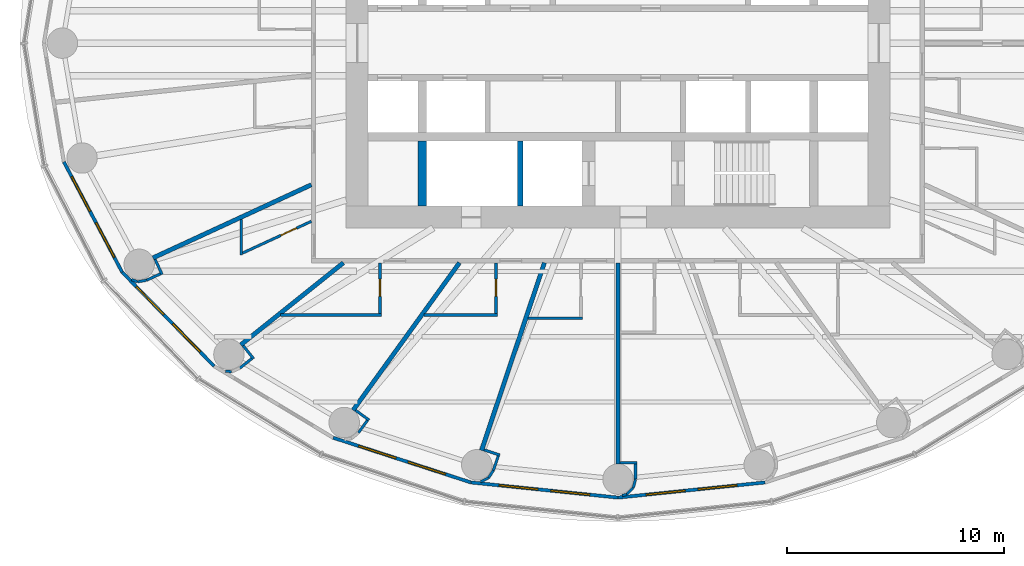
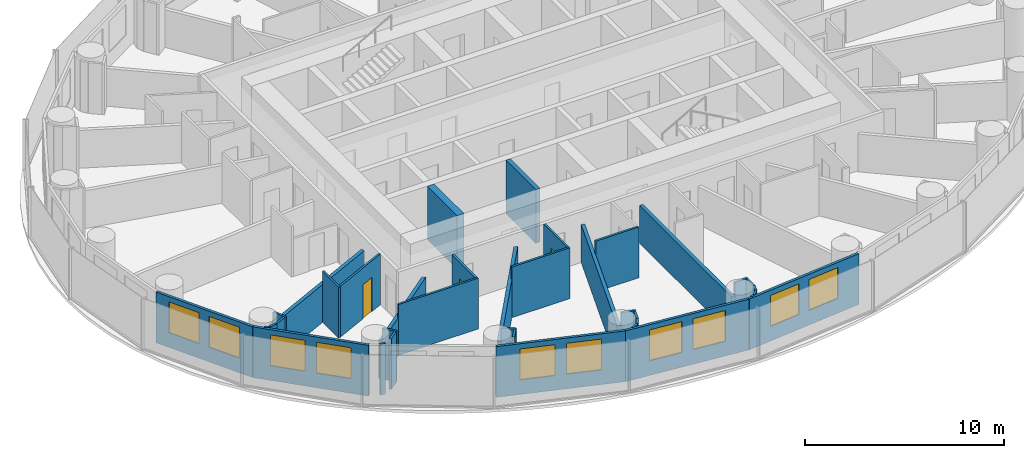
# One storey, part 6 of 14: 37 walls, 10 windows, 3 doors, 13 openings.
"""IFC4 building model written with IfcOpenShell, lengths in metres."""

from ifc_helpers import new_model, si_unit, direction, frame, frame_2d, origin, place, context, subcontext, project, spatial, rectangle, extrude, material, layer, layer_set, type_object, element, fill, save


model = new_model("IFC4")

# Units and contexts
model_context = context("Model", 3, precision=1e-05, world=origin(), true_north=direction((0.0, 1.0)))
body_context = subcontext(model_context, "Body", "Model", "MODEL_VIEW")
ifc_project = project(units=[si_unit("LENGTHUNIT", "METRE"), si_unit("AREAUNIT", "SQUARE_METRE"), si_unit("VOLUMEUNIT", "CUBIC_METRE"), si_unit("PLANEANGLEUNIT", "RADIAN"), si_unit("MASSUNIT", "GRAM", prefix="KILO")], contexts=[model_context])

# Site, building, storey
site_placement = place(None, origin())
site = spatial("IfcSite", under=ifc_project, at=site_placement, CompositionType="ELEMENT")
building_placement = place(site_placement, origin())
building = spatial("IfcBuilding", under=site, at=building_placement, Name="Hankou Lantern Tower", CompositionType="ELEMENT")
storey_placement = place(building_placement, frame((0.0, 0.0, 60.60009765625)))
storey = spatial("IfcBuildingStorey", under=building, at=storey_placement, Name="L14", CompositionType="ELEMENT", Elevation=60.60009765625)

# Wall
ifc_material_1 = material(Name="Concrete C60", Category="concrete")
ifc_layer_1 = layer(ifc_material_1, 0.39990234375)
ifc_layer_set_1 = layer_set([ifc_layer_1], Name="Concrete C60")
wall_type_1 = type_object("IfcWallType", Name="CW4 CORE CROSS WALL 400", PredefinedType="SHEAR", material=ifc_layer_set_1)
wall_1_placement = place(storey_placement, frame((-9.0, -7.5, 0.0), z_axis=(0.0, 0.0, 1.0), x_axis=(0.0, 1.0, 0.0)))
element("IfcWall", 1, at=wall_1_placement, inside=storey, type_object=wall_type_1, Name="Core strip wall L14", PredefinedType="SHEAR", context=body_context, shape_type="SweptSolid", body=[
    extrude(rectangle(XDim=3.0, YDim=0.39990234375, at=frame_2d((1.5, 0.0))), origin(), (0.0, 0.0, 1.0), 3.2998046875),
])

# Wall, openings, windows
ifc_material_2 = material(Name="Aluminium spandrel panel on steel studs", Category="steel")
ifc_layer_2 = layer(ifc_material_2, 0.14990234375)
ifc_layer_set_2 = layer_set([ifc_layer_2], Name="Aluminium spandrel panel on steel studs")
wall_type_2 = type_object("IfcWallType", Name="EW1 INNER SKIN WALL 150", PredefinedType="ELEMENTEDWALL", material=ifc_layer_set_2)
wall_2_placement = place(storey_placement, frame((-25.482421875, -5.46240234375, 0.0), z_axis=(0.0, 0.0, 1.0), x_axis=(0.467296867008, -0.884100468321, 0.0)))
wall_2 = element("IfcWall", 2, at=wall_2_placement, inside=storey, type_object=wall_type_2, Name="Inner skin R14-R15 L14", PredefinedType="ELEMENTEDWALL", context=body_context, shape_type="SweptSolid", body=[
    extrude(rectangle(XDim=5.734375, YDim=0.14990234375, at=frame_2d((2.8671875, 0.0))), origin(), (0.0, 0.0, 1.0), 3.119873046875),
])
opening_1_placement = place(wall_2_placement, frame((0.76708984375, 0.0, 0.89990234375)))
opening_1 = element("IfcOpeningElement", 3, at=opening_1_placement, cuts=wall_2, Name="Opening W1", PredefinedType="OPENING", context=body_context, shape_type="SweptSolid", body=[
    extrude(rectangle(XDim=1.800048828125, YDim=1.89990234375, at=frame_2d((0.89990234375, 0.949951171875))), frame((0.0, 0.0849609375, 0.0), z_axis=(0.0, -1.0, 0.0), x_axis=(1.0, 0.0, 0.0)), (0.0, 0.0, 1.0), 0.169921875),
])
opening_2_placement = place(wall_2_placement, frame((3.167236328125, 0.0, 0.89990234375)))
opening_2 = element("IfcOpeningElement", 4, at=opening_2_placement, cuts=wall_2, Name="Opening W1", PredefinedType="OPENING", context=body_context, shape_type="SweptSolid", body=[
    extrude(rectangle(XDim=1.800048828125, YDim=1.89990234375, at=frame_2d((0.89990234375, 0.949951171875))), frame((0.0, 0.0849609375, 0.0), z_axis=(0.0, -1.0, 0.0), x_axis=(1.0, 0.0, 0.0)), (0.0, 0.0, 1.0), 0.169921875),
])
ifc_material_3 = material(Name="Aluminium framed double glazed window", Category="aluminium")
window_type = type_object("IfcWindowType", Name="W1 GUEST ROOM WINDOW 1800X1900", PartitioningType="DOUBLE_PANEL_VERTICAL", PredefinedType="WINDOW", material=ifc_material_3)
window_1_placement = place(opening_1_placement, origin())
window_1 = element("IfcWindow", 5, at=window_1_placement, inside=storey, type_object=window_type, Name="Window R14.1 L14", OverallHeight=1.89990234375, OverallWidth=1.800048828125, PartitioningType="SINGLE_PANEL", PredefinedType="WINDOW", context=body_context, shape_type="SweptSolid", body=[
    extrude(rectangle(XDim=1.800048828125, YDim=1.89990234375, at=frame_2d((0.89990234375, 0.949951171875))), frame((0.0, 0.030029296875, 0.0), z_axis=(0.0, -1.0, 0.0), x_axis=(1.0, 0.0, 0.0)), (0.0, 0.0, 1.0), 0.06005859375),
])
fill(opening_1, window_1)
window_2_placement = place(opening_2_placement, origin())
window_2 = element("IfcWindow", 6, at=window_2_placement, inside=storey, type_object=window_type, Name="Window R14.2 L14", OverallHeight=1.89990234375, OverallWidth=1.800048828125, PartitioningType="SINGLE_PANEL", PredefinedType="WINDOW", context=body_context, shape_type="SweptSolid", body=[
    extrude(rectangle(XDim=1.800048828125, YDim=1.89990234375, at=frame_2d((0.89990234375, 0.949951171875))), frame((0.0, 0.030029296875, 0.0), z_axis=(0.0, -1.0, 0.0), x_axis=(1.0, 0.0, 0.0)), (0.0, 0.0, 1.0), 0.06005859375),
])
fill(opening_2, window_2)

wall_3_placement = place(storey_placement, frame((-22.802734375, -10.5322265625, 0.0), z_axis=(0.0, 0.0, 1.0), x_axis=(0.699602905915, -0.714531856557, 0.0)))
wall_3 = element("IfcWall", 7, at=wall_3_placement, inside=storey, type_object=wall_type_2, Name="Inner skin R15-R16 L14", PredefinedType="ELEMENTEDWALL", context=body_context, shape_type="SweptSolid", body=[
    extrude(rectangle(XDim=6.05078125, YDim=0.14990234375, at=frame_2d((3.025390625, 0.0))), origin(), (0.0, 0.0, 1.0), 3.119873046875),
])
opening_3_placement = place(wall_3_placement, frame((0.925537109375, 0.0, 0.89990234375)))
opening_3 = element("IfcOpeningElement", 8, at=opening_3_placement, cuts=wall_3, Name="Opening W1", PredefinedType="OPENING", context=body_context, shape_type="SweptSolid", body=[
    extrude(rectangle(XDim=1.800048828125, YDim=1.89990234375, at=frame_2d((0.89990234375, 0.949951171875))), frame((0.0, 0.0849609375, 0.0), z_axis=(0.0, -1.0, 0.0), x_axis=(1.0, 0.0, 0.0)), (0.0, 0.0, 1.0), 0.169921875),
])
opening_4_placement = place(wall_3_placement, frame((3.325439453125, 0.0, 0.89990234375)))
opening_4 = element("IfcOpeningElement", 9, at=opening_4_placement, cuts=wall_3, Name="Opening W1", PredefinedType="OPENING", context=body_context, shape_type="SweptSolid", body=[
    extrude(rectangle(XDim=1.800048828125, YDim=1.89990234375, at=frame_2d((0.89990234375, 0.949951171875))), frame((0.0, 0.0849609375, 0.0), z_axis=(0.0, -1.0, 0.0), x_axis=(1.0, 0.0, 0.0)), (0.0, 0.0, 1.0), 0.169921875),
])
window_3_placement = place(opening_3_placement, origin())
window_3 = element("IfcWindow", 10, at=window_3_placement, inside=storey, type_object=window_type, Name="Window R15.1 L14", OverallHeight=1.89990234375, OverallWidth=1.800048828125, PartitioningType="SINGLE_PANEL", PredefinedType="WINDOW", context=body_context, shape_type="SweptSolid", body=[
    extrude(rectangle(XDim=1.800048828125, YDim=1.89990234375, at=frame_2d((0.89990234375, 0.949951171875))), frame((0.0, 0.030029296875, 0.0), z_axis=(0.0, -1.0, 0.0), x_axis=(1.0, 0.0, 0.0)), (0.0, 0.0, 1.0), 0.06005859375),
])
fill(opening_3, window_3)
window_4_placement = place(opening_4_placement, origin())
window_4 = element("IfcWindow", 11, at=window_4_placement, inside=storey, type_object=window_type, Name="Window R15.2 L14", OverallHeight=1.89990234375, OverallWidth=1.800048828125, PartitioningType="SINGLE_PANEL", PredefinedType="WINDOW", context=body_context, shape_type="SweptSolid", body=[
    extrude(rectangle(XDim=1.800048828125, YDim=1.89990234375, at=frame_2d((0.89990234375, 0.949951171875))), frame((0.0, 0.030029296875, 0.0), z_axis=(0.0, -1.0, 0.0), x_axis=(1.0, 0.0, 0.0)), (0.0, 0.0, 1.0), 0.06005859375),
])
fill(opening_4, window_4)

wall_4_placement = place(storey_placement, frame((-13.096435546875, -18.14697265625, 0.0), z_axis=(0.0, 0.0, 1.0), x_axis=(0.951137534625, -0.308767534285, 0.0)))
wall_4 = element("IfcWall", 12, at=wall_4_placement, inside=storey, type_object=wall_type_2, Name="Inner skin R17-R18 L14", PredefinedType="ELEMENTEDWALL", context=body_context, shape_type="SweptSolid", body=[
    extrude(rectangle(XDim=6.6552734375, YDim=0.14990234375, at=frame_2d((3.32763671875, 0.0))), origin(), (0.0, 0.0, 1.0), 3.119873046875),
])
opening_5_placement = place(wall_4_placement, frame((1.2275390625, 0.0, 0.89990234375)))
opening_5 = element("IfcOpeningElement", 13, at=opening_5_placement, cuts=wall_4, Name="Opening W1", PredefinedType="OPENING", context=body_context, shape_type="SweptSolid", body=[
    extrude(rectangle(XDim=1.800048828125, YDim=1.89990234375, at=frame_2d((0.89990234375, 0.949951171875))), frame((0.0, 0.0849609375, 0.0), z_axis=(0.0, -1.0, 0.0), x_axis=(1.0, 0.0, 0.0)), (0.0, 0.0, 1.0), 0.169921875),
])
opening_6_placement = place(wall_4_placement, frame((3.627685546875, 0.0, 0.89990234375)))
opening_6 = element("IfcOpeningElement", 14, at=opening_6_placement, cuts=wall_4, Name="Opening W1", PredefinedType="OPENING", context=body_context, shape_type="SweptSolid", body=[
    extrude(rectangle(XDim=1.800048828125, YDim=1.89990234375, at=frame_2d((0.89990234375, 0.949951171875))), frame((0.0, 0.0849609375, 0.0), z_axis=(0.0, -1.0, 0.0), x_axis=(1.0, 0.0, 0.0)), (0.0, 0.0, 1.0), 0.169921875),
])
window_5_placement = place(opening_5_placement, origin())
window_5 = element("IfcWindow", 15, at=window_5_placement, inside=storey, type_object=window_type, Name="Window R17.1 L14", OverallHeight=1.89990234375, OverallWidth=1.800048828125, PartitioningType="SINGLE_PANEL", PredefinedType="WINDOW", context=body_context, shape_type="SweptSolid", body=[
    extrude(rectangle(XDim=1.800048828125, YDim=1.89990234375, at=frame_2d((0.89990234375, 0.949951171875))), frame((0.0, 0.030029296875, 0.0), z_axis=(0.0, -1.0, 0.0), x_axis=(1.0, 0.0, 0.0)), (0.0, 0.0, 1.0), 0.06005859375),
])
fill(opening_5, window_5)
window_6_placement = place(opening_6_placement, origin())
window_6 = element("IfcWindow", 16, at=window_6_placement, inside=storey, type_object=window_type, Name="Window R17.2 L14", OverallHeight=1.89990234375, OverallWidth=1.800048828125, PartitioningType="SINGLE_PANEL", PredefinedType="WINDOW", context=body_context, shape_type="SweptSolid", body=[
    extrude(rectangle(XDim=1.800048828125, YDim=1.89990234375, at=frame_2d((0.89990234375, 0.949951171875))), frame((0.0, 0.030029296875, 0.0), z_axis=(0.0, -1.0, 0.0), x_axis=(1.0, 0.0, 0.0)), (0.0, 0.0, 1.0), 0.06005859375),
])
fill(opening_6, window_6)

wall_5_placement = place(storey_placement, frame((-6.766357421875, -20.201904296875, 0.0), z_axis=(0.0, 0.0, 1.0), x_axis=(0.994721394369, -0.102612609291, 0.0)))
wall_5 = element("IfcWall", 17, at=wall_5_placement, inside=storey, type_object=wall_type_2, Name="Inner skin R18-R19 L14", PredefinedType="ELEMENTEDWALL", context=body_context, shape_type="SweptSolid", body=[
    extrude(rectangle(XDim=6.80224609375, YDim=0.14990234375, at=frame_2d((3.401123046875, 0.0))), origin(), (0.0, 0.0, 1.0), 3.119873046875),
])
opening_7_placement = place(wall_5_placement, frame((1.301025390625, 0.0, 0.89990234375)))
opening_7 = element("IfcOpeningElement", 18, at=opening_7_placement, cuts=wall_5, Name="Opening W1", PredefinedType="OPENING", context=body_context, shape_type="SweptSolid", body=[
    extrude(rectangle(XDim=1.800048828125, YDim=1.89990234375, at=frame_2d((0.89990234375, 0.949951171875))), frame((0.0, 0.0849609375, 0.0), z_axis=(0.0, -1.0, 0.0), x_axis=(1.0, 0.0, 0.0)), (0.0, 0.0, 1.0), 0.169921875),
])
opening_8_placement = place(wall_5_placement, frame((3.701171875, 0.0, 0.89990234375)))
opening_8 = element("IfcOpeningElement", 19, at=opening_8_placement, cuts=wall_5, Name="Opening W1", PredefinedType="OPENING", context=body_context, shape_type="SweptSolid", body=[
    extrude(rectangle(XDim=1.800048828125, YDim=1.89990234375, at=frame_2d((0.89990234375, 0.949951171875))), frame((0.0, 0.0849609375, 0.0), z_axis=(0.0, -1.0, 0.0), x_axis=(1.0, 0.0, 0.0)), (0.0, 0.0, 1.0), 0.169921875),
])
window_7_placement = place(opening_7_placement, origin())
window_7 = element("IfcWindow", 20, at=window_7_placement, inside=storey, type_object=window_type, Name="Window R18.1 L14", OverallHeight=1.89990234375, OverallWidth=1.800048828125, PartitioningType="SINGLE_PANEL", PredefinedType="WINDOW", context=body_context, shape_type="SweptSolid", body=[
    extrude(rectangle(XDim=1.800048828125, YDim=1.89990234375, at=frame_2d((0.89990234375, 0.949951171875))), frame((0.0, 0.030029296875, 0.0), z_axis=(0.0, -1.0, 0.0), x_axis=(1.0, 0.0, 0.0)), (0.0, 0.0, 1.0), 0.06005859375),
])
fill(opening_7, window_7)
window_8_placement = place(opening_8_placement, origin())
window_8 = element("IfcWindow", 21, at=window_8_placement, inside=storey, type_object=window_type, Name="Window R18.2 L14", OverallHeight=1.89990234375, OverallWidth=1.800048828125, PartitioningType="SINGLE_PANEL", PredefinedType="WINDOW", context=body_context, shape_type="SweptSolid", body=[
    extrude(rectangle(XDim=1.800048828125, YDim=1.89990234375, at=frame_2d((0.89990234375, 0.949951171875))), frame((0.0, 0.030029296875, 0.0), z_axis=(0.0, -1.0, 0.0), x_axis=(1.0, 0.0, 0.0)), (0.0, 0.0, 1.0), 0.06005859375),
])
fill(opening_8, window_8)

wall_6_placement = place(storey_placement, frame((0.0, -20.89990234375, 0.0), z_axis=(0.0, 0.0, 1.0), x_axis=(0.994721394369, 0.102612609291, 0.0)))
wall_6 = element("IfcWall", 22, at=wall_6_placement, inside=storey, type_object=wall_type_2, Name="Inner skin R19-R20 L14", PredefinedType="ELEMENTEDWALL", context=body_context, shape_type="SweptSolid", body=[
    extrude(rectangle(XDim=6.80224609375, YDim=0.14990234375, at=frame_2d((3.401123046875, 0.0))), origin(), (0.0, 0.0, 1.0), 3.119873046875),
])
opening_9_placement = place(wall_6_placement, frame((1.301025390625, 0.0, 0.89990234375)))
opening_9 = element("IfcOpeningElement", 23, at=opening_9_placement, cuts=wall_6, Name="Opening W1", PredefinedType="OPENING", context=body_context, shape_type="SweptSolid", body=[
    extrude(rectangle(XDim=1.800048828125, YDim=1.89990234375, at=frame_2d((0.89990234375, 0.949951171875))), frame((0.0, 0.0849609375, 0.0), z_axis=(0.0, -1.0, 0.0), x_axis=(1.0, 0.0, 0.0)), (0.0, 0.0, 1.0), 0.169921875),
])
opening_10_placement = place(wall_6_placement, frame((3.701171875, 0.0, 0.89990234375)))
opening_10 = element("IfcOpeningElement", 24, at=opening_10_placement, cuts=wall_6, Name="Opening W1", PredefinedType="OPENING", context=body_context, shape_type="SweptSolid", body=[
    extrude(rectangle(XDim=1.800048828125, YDim=1.89990234375, at=frame_2d((0.89990234375, 0.949951171875))), frame((0.0, 0.0849609375, 0.0), z_axis=(0.0, -1.0, 0.0), x_axis=(1.0, 0.0, 0.0)), (0.0, 0.0, 1.0), 0.169921875),
])
window_9_placement = place(opening_9_placement, origin())
window_9 = element("IfcWindow", 25, at=window_9_placement, inside=storey, type_object=window_type, Name="Window R19.1 L14", OverallHeight=1.89990234375, OverallWidth=1.800048828125, PartitioningType="SINGLE_PANEL", PredefinedType="WINDOW", context=body_context, shape_type="SweptSolid", body=[
    extrude(rectangle(XDim=1.800048828125, YDim=1.89990234375, at=frame_2d((0.89990234375, 0.949951171875))), frame((0.0, 0.030029296875, 0.0), z_axis=(0.0, -1.0, 0.0), x_axis=(1.0, 0.0, 0.0)), (0.0, 0.0, 1.0), 0.06005859375),
])
fill(opening_9, window_9)
window_10_placement = place(opening_10_placement, origin())
window_10 = element("IfcWindow", 26, at=window_10_placement, inside=storey, type_object=window_type, Name="Window R19.2 L14", OverallHeight=1.89990234375, OverallWidth=1.800048828125, PartitioningType="SINGLE_PANEL", PredefinedType="WINDOW", context=body_context, shape_type="SweptSolid", body=[
    extrude(rectangle(XDim=1.800048828125, YDim=1.89990234375, at=frame_2d((0.89990234375, 0.949951171875))), frame((0.0, 0.030029296875, 0.0), z_axis=(0.0, -1.0, 0.0), x_axis=(1.0, 0.0, 0.0)), (0.0, 0.0, 1.0), 0.06005859375),
])
fill(opening_10, window_10)

# Walls
ifc_material_4 = material(Name="Masonry lightweight concrete block", Category="masonry")
ifc_layer_3 = layer(ifc_material_4, 0.199951171875)
ifc_layer_set_3 = layer_set([ifc_layer_3], Name="Masonry lightweight concrete block")
wall_type_3 = type_object("IfcWallType", Name="IW1 GUEST ROOM PARTY WALL 200", PredefinedType="PARTITIONING", material=ifc_layer_set_3)
wall_7_placement = place(storey_placement, frame((-14.10009765625, -6.512451171875, 0.0), z_axis=(0.0, 0.0, 1.0), x_axis=(-0.907832871056, -0.419332181247, 0.0)))
element("IfcWall", 27, at=wall_7_placement, inside=storey, type_object=wall_type_3, Name="Party wall R15", PredefinedType="PARTITIONING", context=body_context, shape_type="SweptSolid", body=[
    extrude(rectangle(XDim=8.02294921875, YDim=0.199951171875, at=frame_2d((4.011474609375, 0.0))), origin(), (0.0, 0.0, 1.0), 2.31982421875),
])
wall_8_placement = place(storey_placement, frame((-12.625, -10.10009765625, 0.0), z_axis=(0.0, 0.0, 1.0), x_axis=(-0.780892451574, -0.624665493744, 0.0)))
element("IfcWall", 28, at=wall_8_placement, inside=storey, type_object=wall_type_3, Name="Party wall R16", PredefinedType="PARTITIONING", context=body_context, shape_type="SweptSolid", body=[
    extrude(rectangle(XDim=6.044677734375, YDim=0.199951171875, at=frame_2d((3.0224609375, 0.0))), origin(), (0.0, 0.0, 1.0), 2.31982421875),
])
wall_9_placement = place(storey_placement, frame((-7.2890625, -10.10009765625, 0.0), z_axis=(0.0, 0.0, 1.0), x_axis=(-0.585198353053, -0.810890182197, 0.0)))
element("IfcWall", 29, at=wall_9_placement, inside=storey, type_object=wall_type_3, Name="Party wall R17", PredefinedType="PARTITIONING", context=body_context, shape_type="SweptSolid", body=[
    extrude(rectangle(XDim=8.359619140625, YDim=0.199951171875, at=frame_2d((4.1796875, 0.0))), origin(), (0.0, 0.0, 1.0), 2.31982421875),
])
wall_10_placement = place(storey_placement, frame((-3.3828125, -10.10009765625, 0.0), z_axis=(0.0, 0.0, 1.0), x_axis=(-0.31759592231, -0.948226149256, 0.0)))
element("IfcWall", 30, at=wall_10_placement, inside=storey, type_object=wall_type_3, Name="Party wall R18", PredefinedType="PARTITIONING", context=body_context, shape_type="SweptSolid", body=[
    extrude(rectangle(XDim=9.098388671875, YDim=0.199951171875, at=frame_2d((4.54931640625, 0.0))), origin(), (0.0, 0.0, 1.0), 2.31982421875),
])
wall_11_placement = place(storey_placement, frame((0.0, -10.10009765625, 0.0), z_axis=(0.0, 0.0, 1.0), x_axis=(0.0, -1.0, 0.0)))
element("IfcWall", 31, at=wall_11_placement, inside=storey, type_object=wall_type_3, Name="Party wall R19", PredefinedType="PARTITIONING", context=body_context, shape_type="SweptSolid", body=[
    extrude(rectangle(XDim=9.25, YDim=0.199951171875, at=frame_2d((4.625, 0.0))), origin(), (0.0, 0.0, 1.0), 2.31982421875),
])
ifc_material_5 = material(Name="Masonry lightweight concrete block", Category="masonry")
ifc_layer_4 = layer(ifc_material_5, 0.1201171875)
ifc_layer_set_4 = layer_set([ifc_layer_4], Name="Masonry lightweight concrete block")
wall_type_4 = type_object("IfcWallType", Name="IW3 BATHROOM WALL 120", PredefinedType="PARTITIONING", material=ifc_layer_set_4)
wall_12_placement = place(storey_placement, frame((-17.32275390625, -8.10107421875, 0.0), z_axis=(0.0, 0.0, 1.0), x_axis=(0.0, -1.0, 0.0)))
element("IfcWall", 32, at=wall_12_placement, inside=storey, type_object=wall_type_4, Name="Box wall 1414 1", PredefinedType="PARTITIONING", context=body_context, shape_type="SweptSolid", body=[
    extrude(rectangle(XDim=1.639892578125, YDim=0.1201171875, at=frame_2d((0.81982421875, 0.0))), origin(), (0.0, 0.0, 1.0), 3.119873046875),
])

# Wall, opening, door
wall_13_placement = place(storey_placement, frame((-14.10009765625, -8.192626953125, 0.0), z_axis=(0.0, 0.0, 1.0), x_axis=(-0.907836493557, -0.419324338628, 0.0)))
wall_13 = element("IfcWall", 33, at=wall_13_placement, inside=storey, type_object=wall_type_4, Name="Box wall 1414 1", PredefinedType="PARTITIONING", context=body_context, shape_type="SweptSolid", body=[
    extrude(rectangle(XDim=3.48974609375, YDim=0.1201171875, at=frame_2d((1.744873046875, 0.0))), origin(), (0.0, 0.0, 1.0), 3.119873046875),
])
opening_11_placement = place(wall_13_placement, frame((0.75, 0.0, 0.0)))
opening_11 = element("IfcOpeningElement", 34, at=opening_11_placement, cuts=wall_13, Name="Opening D3", PredefinedType="OPENING", context=body_context, shape_type="SweptSolid", body=[
    extrude(rectangle(XDim=0.800048828125, YDim=2.10009765625, at=frame_2d((0.39990234375, 1.050048828125))), frame((0.0, 0.070068359375, 0.0), z_axis=(0.0, -1.0, 0.0), x_axis=(1.0, 0.0, 0.0)), (0.0, 0.0, 1.0), 0.14013671875),
])
ifc_material_6 = material(Name="Timber door leaf", Category="wood")
door_type = type_object("IfcDoorType", Name="D3 BATHROOM DOOR 800X2100", OperationType="SINGLE_SWING_LEFT", PredefinedType="DOOR", material=ifc_material_6)
door_1_placement = place(opening_11_placement, origin())
door_1 = element("IfcDoor", 35, at=door_1_placement, inside=storey, type_object=door_type, Name="En-suite bathroom 1414 door", OperationType="SINGLE_SWING_LEFT", OverallHeight=2.10009765625, OverallWidth=0.800048828125, PredefinedType="DOOR", context=body_context, shape_type="SweptSolid", body=[
    extrude(rectangle(XDim=0.800048828125, YDim=2.10009765625, at=frame_2d((0.39990234375, 1.050048828125))), frame((0.0, 0.02490234375, 0.0), z_axis=(0.0, -1.0, 0.0), x_axis=(1.0, 0.0, 0.0)), (0.0, 0.0, 1.0), 0.050048828125),
])
fill(opening_11, door_1)

# Wall
wall_14_placement = place(storey_placement, frame((-15.52490234375, -12.5, 0.0), z_axis=(0.0, 0.0, 1.0), x_axis=(1.0, 0.0, 0.0)))
element("IfcWall", 36, at=wall_14_placement, inside=storey, type_object=wall_type_4, Name="Box wall 1415 1", PredefinedType="PARTITIONING", context=body_context, shape_type="SweptSolid", body=[
    extrude(rectangle(XDim=4.639892578125, YDim=0.1201171875, at=frame_2d((2.31982421875, 0.0))), origin(), (0.0, 0.0, 1.0), 3.119873046875),
])

# Wall, opening, door
wall_15_placement = place(storey_placement, frame((-10.945068359375, -10.10009765625, 0.0), z_axis=(0.0, 0.0, 1.0), x_axis=(0.0, -1.0, 0.0)))
wall_15 = element("IfcWall", 37, at=wall_15_placement, inside=storey, type_object=wall_type_4, Name="Box wall 1415 1", PredefinedType="PARTITIONING", context=body_context, shape_type="SweptSolid", body=[
    extrude(rectangle(XDim=2.33984375, YDim=0.1201171875, at=frame_2d((1.169921875, 0.0))), origin(), (0.0, 0.0, 1.0), 3.119873046875),
])
opening_12_placement = place(wall_15_placement, frame((0.75, 0.0, 0.0)))
opening_12 = element("IfcOpeningElement", 38, at=opening_12_placement, cuts=wall_15, Name="Opening D3", PredefinedType="OPENING", context=body_context, shape_type="SweptSolid", body=[
    extrude(rectangle(XDim=0.800048828125, YDim=2.10009765625, at=frame_2d((0.39990234375, 1.050048828125))), frame((0.0, 0.070068359375, 0.0), z_axis=(0.0, -1.0, 0.0), x_axis=(1.0, 0.0, 0.0)), (0.0, 0.0, 1.0), 0.14013671875),
])
door_2_placement = place(opening_12_placement, origin())
door_2 = element("IfcDoor", 39, at=door_2_placement, inside=storey, type_object=door_type, Name="En-suite bathroom 1415 door", OperationType="SINGLE_SWING_LEFT", OverallHeight=2.10009765625, OverallWidth=0.800048828125, PredefinedType="DOOR", context=body_context, shape_type="SweptSolid", body=[
    extrude(rectangle(XDim=0.800048828125, YDim=2.10009765625, at=frame_2d((0.39990234375, 1.050048828125))), frame((0.0, 0.02490234375, 0.0), z_axis=(0.0, -1.0, 0.0), x_axis=(1.0, 0.0, 0.0)), (0.0, 0.0, 1.0), 0.050048828125),
])
fill(opening_12, door_2)

# Wall
wall_16_placement = place(storey_placement, frame((-8.921142578125, -12.5, 0.0), z_axis=(0.0, 0.0, 1.0), x_axis=(1.0, 0.0, 0.0)))
element("IfcWall", 40, at=wall_16_placement, inside=storey, type_object=wall_type_4, Name="Box wall 1416 1", PredefinedType="PARTITIONING", context=body_context, shape_type="SweptSolid", body=[
    extrude(rectangle(XDim=3.3720703125, YDim=0.1201171875, at=frame_2d((1.68603515625, 0.0))), origin(), (0.0, 0.0, 1.0), 3.119873046875),
])

# Wall, opening, door
wall_17_placement = place(storey_placement, frame((-5.609130859375, -10.10009765625, 0.0), z_axis=(0.0, 0.0, 1.0), x_axis=(0.0, -1.0, 0.0)))
wall_17 = element("IfcWall", 41, at=wall_17_placement, inside=storey, type_object=wall_type_4, Name="Box wall 1416 1", PredefinedType="PARTITIONING", context=body_context, shape_type="SweptSolid", body=[
    extrude(rectangle(XDim=2.33984375, YDim=0.1201171875, at=frame_2d((1.169921875, 0.0))), origin(), (0.0, 0.0, 1.0), 3.119873046875),
])
opening_13_placement = place(wall_17_placement, frame((0.75, 0.0, 0.0)))
opening_13 = element("IfcOpeningElement", 42, at=opening_13_placement, cuts=wall_17, Name="Opening D3", PredefinedType="OPENING", context=body_context, shape_type="SweptSolid", body=[
    extrude(rectangle(XDim=0.800048828125, YDim=2.10009765625, at=frame_2d((0.39990234375, 1.050048828125))), frame((0.0, 0.070068359375, 0.0), z_axis=(0.0, -1.0, 0.0), x_axis=(1.0, 0.0, 0.0)), (0.0, 0.0, 1.0), 0.14013671875),
])
door_3_placement = place(opening_13_placement, origin())
door_3 = element("IfcDoor", 43, at=door_3_placement, inside=storey, type_object=door_type, Name="En-suite bathroom 1416 door", OperationType="SINGLE_SWING_LEFT", OverallHeight=2.10009765625, OverallWidth=0.800048828125, PredefinedType="DOOR", context=body_context, shape_type="SweptSolid", body=[
    extrude(rectangle(XDim=0.800048828125, YDim=2.10009765625, at=frame_2d((0.39990234375, 1.050048828125))), frame((0.0, 0.02490234375, 0.0), z_axis=(0.0, -1.0, 0.0), x_axis=(1.0, 0.0, 0.0)), (0.0, 0.0, 1.0), 0.050048828125),
])
fill(opening_13, door_3)

# Walls
wall_18_placement = place(storey_placement, frame((-4.136962890625, -12.64990234375, 0.0), z_axis=(0.0, 0.0, 1.0), x_axis=(1.0, 0.0, 0.0)))
element("IfcWall", 44, at=wall_18_placement, inside=storey, type_object=wall_type_4, Name="Box wall 1417 1", PredefinedType="PARTITIONING", context=body_context, shape_type="SweptSolid", body=[
    extrude(rectangle(XDim=2.494140625, YDim=0.1201171875, at=frame_2d((1.2470703125, 0.0))), origin(), (0.0, 0.0, 1.0), 3.119873046875),
])
ifc_material_7 = material(Name="Masonry lightweight concrete block", Category="masonry")
ifc_layer_5 = layer(ifc_material_7, 0.1201171875)
ifc_layer_set_5 = layer_set([ifc_layer_5], Name="Masonry lightweight concrete block")
wall_type_5 = type_object("IfcWallType", Name="IW4 PARTITION 120", PredefinedType="PARTITIONING", material=ifc_layer_set_5)
wall_19_placement = place(storey_placement, frame((-21.287109375, -9.9423828125, 0.0), z_axis=(0.0, 0.0, 1.0), x_axis=(0.419259891039, -0.907866258744, 0.0)))
element("IfcWall", 45, at=wall_19_placement, inside=storey, type_object=wall_type_5, Name="Column casing R15 return", PredefinedType="PARTITIONING", context=body_context, shape_type="SweptSolid", body=[
    extrude(rectangle(XDim=0.767578125, YDim=0.1201171875, at=frame_2d((0.3837890625, 0.0))), origin(), (0.0, 0.0, 1.0), 3.119873046875),
])
wall_20_placement = place(storey_placement, frame((-21.044921875, -10.60986328125, 0.0), z_axis=(0.0, 0.0, 1.0), x_axis=(-0.907877701396, -0.419235112208, 0.0)))
element("IfcWall", 46, at=wall_20_placement, inside=storey, type_object=wall_type_5, Name="Column casing R15", PredefinedType="PARTITIONING", context=body_context, shape_type="SweptSolid", body=[
    extrude(rectangle(XDim=0.699951171875, YDim=0.1201171875, at=frame_2d((0.35009765625, 0.0))), origin(), (0.0, 0.0, 1.0), 3.119873046875),
])
wall_21_placement = place(storey_placement, frame((-21.680419921875, -10.9033203125, 0.0), z_axis=(0.0, 0.0, 1.0), x_axis=(-0.985446622073, -0.169985161247, 0.0)))
element("IfcWall", 47, at=wall_21_placement, inside=storey, type_object=wall_type_5, Name="Column casing R15", PredefinedType="PARTITIONING", context=body_context, shape_type="SweptSolid", body=[
    extrude(rectangle(XDim=0.41796875, YDim=0.1201171875, at=frame_2d((0.208984375, 0.0))), origin(), (0.0, 0.0, 1.0), 3.119873046875),
])
wall_22_placement = place(storey_placement, frame((-22.09228515625, -10.974365234375, 0.0), z_axis=(0.0, 0.0, 1.0), x_axis=(-0.938428160676, 0.345474437912, 0.0)))
element("IfcWall", 48, at=wall_22_placement, inside=storey, type_object=wall_type_5, Name="Column casing R15", PredefinedType="PARTITIONING", context=body_context, shape_type="SweptSolid", body=[
    extrude(rectangle(XDim=0.2939453125, YDim=0.1201171875, at=frame_2d((0.14697265625, 0.0))), origin(), (0.0, 0.0, 1.0), 3.119873046875),
])
wall_23_placement = place(storey_placement, frame((-17.23583984375, -13.916748046875, 0.0), z_axis=(0.0, 0.0, 1.0), x_axis=(0.624695047554, -0.780868809443, 0.0)))
element("IfcWall", 49, at=wall_23_placement, inside=storey, type_object=wall_type_5, Name="Column casing R16 return", PredefinedType="PARTITIONING", context=body_context, shape_type="SweptSolid", body=[
    extrude(rectangle(XDim=0.767578125, YDim=0.1201171875, at=frame_2d((0.3837890625, 0.0))), origin(), (0.0, 0.0, 1.0), 3.119873046875),
])
wall_24_placement = place(storey_placement, frame((-16.840576171875, -14.506591796875, 0.0), z_axis=(0.0, 0.0, 1.0), x_axis=(-0.780902834923, -0.62465251333, 0.0)))
element("IfcWall", 50, at=wall_24_placement, inside=storey, type_object=wall_type_5, Name="Column casing R16", PredefinedType="PARTITIONING", context=body_context, shape_type="SweptSolid", body=[
    extrude(rectangle(XDim=0.699951171875, YDim=0.1201171875, at=frame_2d((0.35009765625, 0.0))), origin(), (0.0, 0.0, 1.0), 3.119873046875),
])
wall_25_placement = place(storey_placement, frame((-17.770263671875, -15.111572265625, 0.0), z_axis=(0.0, 0.0, 1.0), x_axis=(-0.993904401174, 0.110245368731, 0.0)))
element("IfcWall", 51, at=wall_25_placement, inside=storey, type_object=wall_type_5, Name="Column casing R16", PredefinedType="PARTITIONING", context=body_context, shape_type="SweptSolid", body=[
    extrude(rectangle(XDim=0.287841796875, YDim=0.1201171875, at=frame_2d((0.14404296875, 0.0))), origin(), (0.0, 0.0, 1.0), 3.119873046875),
])
wall_26_placement = place(storey_placement, frame((-12.06494140625, -16.888671875, 0.0), z_axis=(0.0, 0.0, 1.0), x_axis=(0.810821798253, -0.585293098778, 0.0)))
element("IfcWall", 52, at=wall_26_placement, inside=storey, type_object=wall_type_5, Name="Column casing R17 return", PredefinedType="PARTITIONING", context=body_context, shape_type="SweptSolid", body=[
    extrude(rectangle(XDim=0.767578125, YDim=0.1201171875, at=frame_2d((0.3837890625, 0.0))), origin(), (0.0, 0.0, 1.0), 3.119873046875),
])
wall_27_placement = place(storey_placement, frame((-11.5263671875, -17.351318359375, 0.0), z_axis=(0.0, 0.0, 1.0), x_axis=(-0.585223113993, -0.810872312296, 0.0)))
element("IfcWall", 53, at=wall_27_placement, inside=storey, type_object=wall_type_5, Name="Column casing R17", PredefinedType="PARTITIONING", context=body_context, shape_type="SweptSolid", body=[
    extrude(rectangle(XDim=0.699951171875, YDim=0.1201171875, at=frame_2d((0.35009765625, 0.0))), origin(), (0.0, 0.0, 1.0), 3.119873046875),
])
wall_28_placement = place(storey_placement, frame((-6.15869140625, -18.702392578125, 0.0), z_axis=(0.0, 0.0, 1.0), x_axis=(0.948173154049, -0.31775410295, 0.0)))
element("IfcWall", 54, at=wall_28_placement, inside=storey, type_object=wall_type_5, Name="Column casing R18 return", PredefinedType="PARTITIONING", context=body_context, shape_type="SweptSolid", body=[
    extrude(rectangle(XDim=0.767578125, YDim=0.1201171875, at=frame_2d((0.3837890625, 0.0))), origin(), (0.0, 0.0, 1.0), 3.119873046875),
])
wall_29_placement = place(storey_placement, frame((-5.5068359375, -18.984130859375, 0.0), z_axis=(0.0, 0.0, 1.0), x_axis=(-0.317692050622, -0.948193946918, 0.0)))
element("IfcWall", 55, at=wall_29_placement, inside=storey, type_object=wall_type_5, Name="Column casing R18", PredefinedType="PARTITIONING", context=body_context, shape_type="SweptSolid", body=[
    extrude(rectangle(XDim=0.7001953125, YDim=0.1201171875, at=frame_2d((0.35009765625, 0.0))), origin(), (0.0, 0.0, 1.0), 3.119873046875),
])
wall_30_placement = place(storey_placement, frame((-5.729248046875, -19.64794921875, 0.0), z_axis=(0.0, 0.0, 1.0), x_axis=(-0.552135764955, -0.833754218615, 0.0)))
element("IfcWall", 56, at=wall_30_placement, inside=storey, type_object=wall_type_5, Name="Column casing R18", PredefinedType="PARTITIONING", context=body_context, shape_type="SweptSolid", body=[
    extrude(rectangle(XDim=0.41796875, YDim=0.1201171875, at=frame_2d((0.208984375, 0.0))), origin(), (0.0, 0.0, 1.0), 3.119873046875),
])
wall_31_placement = place(storey_placement, frame((-5.9599609375, -19.996337890625, 0.0), z_axis=(0.0, 0.0, 1.0), x_axis=(-0.895160725913, -0.445743507842, 0.0)))
element("IfcWall", 57, at=wall_31_placement, inside=storey, type_object=wall_type_5, Name="Column casing R18", PredefinedType="PARTITIONING", context=body_context, shape_type="SweptSolid", body=[
    extrude(rectangle(XDim=0.398681640625, YDim=0.1201171875, at=frame_2d((0.19921875, 0.0))), origin(), (0.0, 0.0, 1.0), 3.119873046875),
])
wall_32_placement = place(storey_placement, frame((0.10009765625, -19.2900390625, 0.0), z_axis=(0.0, 0.0, 1.0), x_axis=(1.0, 0.0, 0.0)))
element("IfcWall", 58, at=wall_32_placement, inside=storey, type_object=wall_type_5, Name="Column casing R19 return", PredefinedType="PARTITIONING", context=body_context, shape_type="SweptSolid", body=[
    extrude(rectangle(XDim=0.767333984375, YDim=0.1201171875, at=frame_2d((0.3837890625, 0.0))), origin(), (0.0, 0.0, 1.0), 3.119873046875),
])
wall_33_placement = place(storey_placement, frame((0.8076171875, -19.35009765625, 0.0), z_axis=(0.0, 0.0, 1.0), x_axis=(0.0, -1.0, 0.0)))
element("IfcWall", 59, at=wall_33_placement, inside=storey, type_object=wall_type_5, Name="Column casing R19", PredefinedType="PARTITIONING", context=body_context, shape_type="SweptSolid", body=[
    extrude(rectangle(XDim=0.699951171875, YDim=0.1201171875, at=frame_2d((0.35009765625, 0.0))), origin(), (0.0, 0.0, 1.0), 3.119873046875),
])
wall_34_placement = place(storey_placement, frame((0.8076171875, -20.050048828125, 0.0), z_axis=(0.0, 0.0, 1.0), x_axis=(-0.2592614205, -0.965807183573, 0.0)))
element("IfcWall", 60, at=wall_34_placement, inside=storey, type_object=wall_type_5, Name="Column casing R19", PredefinedType="PARTITIONING", context=body_context, shape_type="SweptSolid", body=[
    extrude(rectangle(XDim=0.418212890625, YDim=0.1201171875, at=frame_2d((0.208984375, 0.0))), origin(), (0.0, 0.0, 1.0), 3.119873046875),
])
wall_35_placement = place(storey_placement, frame((0.69921875, -20.453857421875, 0.0), z_axis=(0.0, 0.0, 1.0), x_axis=(-0.707106781187, -0.707106781187, 0.0)))
element("IfcWall", 61, at=wall_35_placement, inside=storey, type_object=wall_type_5, Name="Column casing R19", PredefinedType="PARTITIONING", context=body_context, shape_type="SweptSolid", body=[
    extrude(rectangle(XDim=0.417724609375, YDim=0.1201171875, at=frame_2d((0.208984375, 0.0))), origin(), (0.0, 0.0, 1.0), 3.119873046875),
])
wall_36_placement = place(storey_placement, frame((0.40380859375, -20.749267578125, 0.0), z_axis=(0.0, 0.0, 1.0), x_axis=(-0.965759066438, -0.25944060128, 0.0)))
element("IfcWall", 62, at=wall_36_placement, inside=storey, type_object=wall_type_5, Name="Column casing R19", PredefinedType="PARTITIONING", context=body_context, shape_type="SweptSolid", body=[
    extrude(rectangle(XDim=0.213623046875, YDim=0.1201171875, at=frame_2d((0.10693359375, 0.0))), origin(), (0.0, 0.0, 1.0), 3.119873046875),
])
ifc_material_8 = material(Name="Masonry autoclaved aerated concrete block", Category="masonry")
ifc_layer_6 = layer(ifc_material_8, 0.25)
ifc_layer_set_6 = layer_set([ifc_layer_6], Name="Masonry autoclaved aerated concrete block")
wall_type_6 = type_object("IfcWallType", Name="SW1 SHAFT BLOCK WALL 250", PredefinedType="PARTITIONING", material=ifc_layer_set_6)
wall_37_placement = place(storey_placement, frame((-4.5, -7.5, 0.0), z_axis=(0.0, 0.0, 1.0), x_axis=(0.0, 1.0, 0.0)))
element("IfcWall", 63, at=wall_37_placement, inside=storey, type_object=wall_type_6, Name="Riser wall L14", PredefinedType="PARTITIONING", context=body_context, shape_type="SweptSolid", body=[
    extrude(rectangle(XDim=3.0, YDim=0.25, at=frame_2d((1.5, 0.0))), origin(), (0.0, 0.0, 1.0), 3.2998046875),
])

save(model, "model.ifc")
